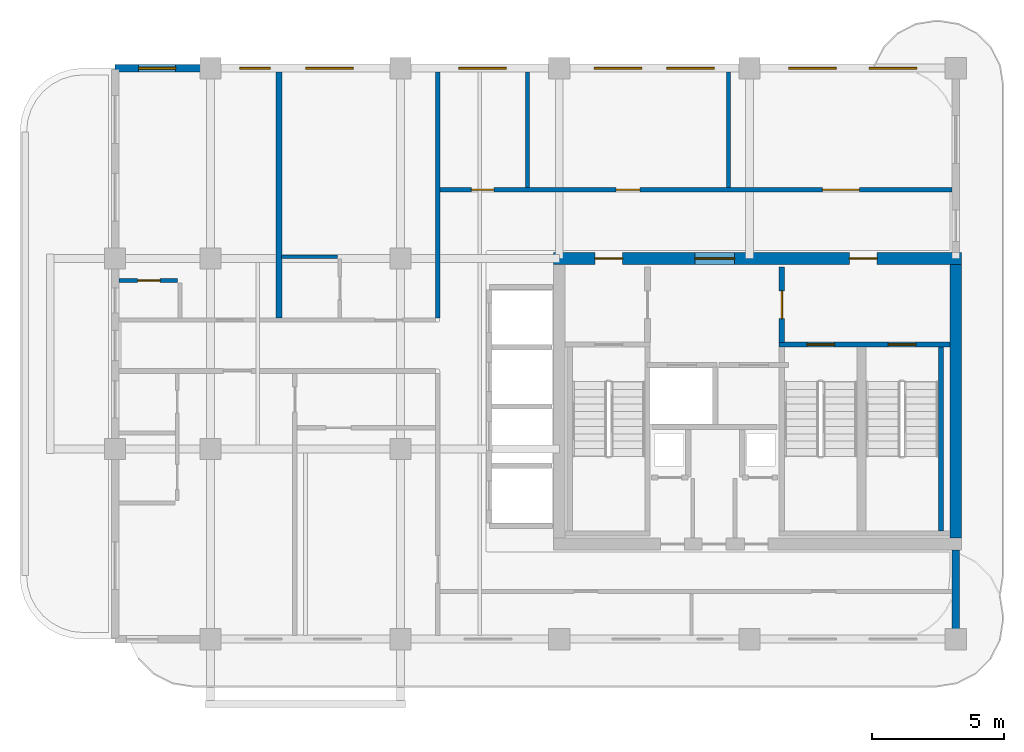
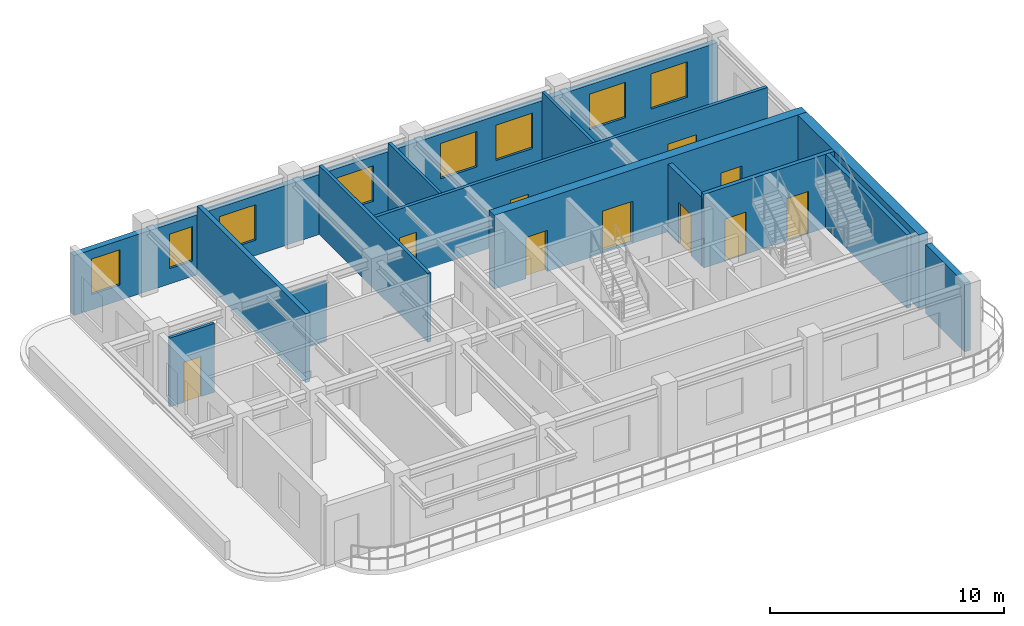
# One storey, part 4 of 7: 14 walls, 10 doors, 8 windows, 18 openings.
"""IFC4 building model written with IfcOpenShell, lengths in metres."""

from ifc_helpers import new_model, si_unit, derived_unit, direction, frame, frame_2d, origin, place, context, subcontext, project, spatial, rectangle, extrude, source, transform, mapped, material, layer, layer_set, type_object, type_shapes, element, fill, save


model = new_model("IFC4")

# Units and contexts
model_context = context("Model", 3, precision=1e-05, world=origin(), true_north=direction((0.0, 1.0)))
body_context = subcontext(model_context, "Body", "Model", "MODEL_VIEW")
ifc_project = project(units=[si_unit("LENGTHUNIT", "METRE"), si_unit("AREAUNIT", "SQUARE_METRE"), si_unit("VOLUMEUNIT", "CUBIC_METRE"), si_unit("PLANEANGLEUNIT", "RADIAN"), si_unit("MASSUNIT", "GRAM", prefix="KILO"), si_unit("THERMODYNAMICTEMPERATUREUNIT", "KELVIN"), si_unit("POWERUNIT", "WATT"), derived_unit("THERMALTRANSMITTANCEUNIT", [(si_unit("POWERUNIT", "WATT"), 1), (si_unit("AREAUNIT", "SQUARE_METRE"), -1), (si_unit("THERMODYNAMICTEMPERATUREUNIT", "KELVIN"), -1)])], contexts=[model_context])

# Site, building, storey
site_placement = place(None, origin())
site = spatial("IfcSite", under=ifc_project, at=site_placement, CompositionType="ELEMENT")
building_placement = place(site_placement, origin())
building = spatial("IfcBuilding", under=site, at=building_placement, Name="Zahravan Archway Hotel and Residences", CompositionType="ELEMENT")
storey_placement = place(building_placement, frame((0.0, 0.0, 251.949951171875)))
storey = spatial("IfcBuildingStorey", under=building, at=storey_placement, Name="L63", CompositionType="ELEMENT", Elevation=251.949951171875)

# Wall, openings, doors
ifc_material_1 = material(Name="Concrete C50/60", Category="concrete")
ifc_layer_1 = layer(ifc_material_1, 0.449951171875, Name="Concrete C50/60", Category="concrete")
ifc_layer_set_1 = layer_set([ifc_layer_1], Name="Concrete C50/60")
wall_type_1 = type_object("IfcWallType", Name="CW-CORE-450", PredefinedType="SHEAR", material=ifc_layer_set_1)
wall_1_placement = place(storey_placement, frame((34.574951171875, 14.39990234375, 0.0), z_axis=(0.0, 0.0, 1.0), x_axis=(1.0, 0.0, 0.0)))
wall_1 = element("IfcWall", 1, at=wall_1_placement, inside=storey, type_object=wall_type_1, Name="L63 Core A Shear N Wall 450 mm", PredefinedType="SHEAR", context=body_context, shape_type="SweptSolid", body=[
    extrude(rectangle(XDim=15.449951171875, YDim=0.449951171875, at=frame_2d((7.72509765625, 0.0))), origin(), (0.0, 0.0, 1.0), 3.85009765625),
])
opening_1_placement = place(wall_1_placement, frame((5.35498046875, 0.0, 0.0)))
opening_1 = element("IfcOpeningElement", 2, at=opening_1_placement, cuts=wall_1, Name="Opening FD-L1", PredefinedType="OPENING", context=body_context, shape_type="SweptSolid", body=[
    extrude(rectangle(XDim=1.5, YDim=2.199951171875, at=frame_2d((0.75, 1.10009765625))), frame((0.0, 0.23486328125, 0.0), z_axis=(0.0, -1.0, 0.0), x_axis=(1.0, 0.0, 0.0)), (0.0, 0.0, 1.0), 0.469970703125),
])
opening_2_placement = place(wall_1_placement, frame((1.570068359375, 0.0, 0.0)))
opening_2 = element("IfcOpeningElement", 3, at=opening_2_placement, cuts=wall_1, Name="Opening FD-L2", PredefinedType="OPENING", context=body_context, shape_type="SweptSolid", body=[
    extrude(rectangle(XDim=1.050048828125, YDim=2.14990234375, at=frame_2d((0.52490234375, 1.074951171875))), frame((0.0, 0.23486328125, 0.0), z_axis=(0.0, -1.0, 0.0), x_axis=(1.0, 0.0, 0.0)), (0.0, 0.0, 1.0), 0.469970703125),
])
opening_3_placement = place(wall_1_placement, frame((11.199951171875, 0.0, 0.0)))
opening_3 = element("IfcOpeningElement", 4, at=opening_3_placement, cuts=wall_1, Name="Opening FD-L2", PredefinedType="OPENING", context=body_context, shape_type="SweptSolid", body=[
    extrude(rectangle(XDim=1.050048828125, YDim=2.14990234375, at=frame_2d((0.52490234375, 1.074951171875))), frame((0.0, 0.23486328125, 0.0), z_axis=(0.0, -1.0, 0.0), x_axis=(1.0, 0.0, 0.0)), (0.0, 0.0, 1.0), 0.469970703125),
])
ifc_material_2 = material(Name="Fire-Rated Painted Steel", Category="steel")
door_type_1 = type_object("IfcDoorType", Name="FD-LOBBY-1100", OperationType="NOTDEFINED", PredefinedType="DOOR", material=ifc_material_2)
shared_shape_1 = source(origin(), body_context, "Body", "SweptSolid", [
    extrude(rectangle(XDim=1.050048828125, YDim=2.14990234375, at=frame_2d((0.52490234375, 1.074951171875))), frame((0.0, 0.02490234375, 0.0), z_axis=(0.0, -1.0, 0.0), x_axis=(1.0, 0.0, 0.0)), (0.0, 0.0, 1.0), 0.050048828125),
])
type_shapes(door_type_1, [shared_shape_1])
door_1_placement = place(opening_2_placement, origin())
door_1 = element("IfcDoor", 5, at=door_1_placement, inside=storey, type_object=door_type_1, Name="L63 Core A West Stair Lobby Door", OperationType="SINGLE_SWING_RIGHT", OverallHeight=2.14990234375, OverallWidth=1.050048828125, PredefinedType="DOOR", context=body_context, shape_type="MappedRepresentation", body=[
    mapped(shared_shape_1, transform((0.0, 0.0, 0.0), scale=1.0)),
])
fill(opening_2, door_1)
door_2_placement = place(opening_3_placement, origin())
door_2 = element("IfcDoor", 6, at=door_2_placement, inside=storey, type_object=door_type_1, Name="L63 Core A East Stair Lobby Door", OperationType="SINGLE_SWING_LEFT", OverallHeight=2.14990234375, OverallWidth=1.050048828125, PredefinedType="DOOR", context=body_context, shape_type="MappedRepresentation", body=[
    mapped(shared_shape_1, transform((0.0, 0.0, 0.0), scale=1.0)),
])
fill(opening_3, door_2)
door_type_2 = type_object("IfcDoorType", Name="FD-LOBBY-1500", OperationType="DOUBLE_DOOR_SINGLE_SWING", PredefinedType="DOOR", material=ifc_material_2)
shared_shape_2 = source(origin(), body_context, "Body", "SweptSolid", [
    extrude(rectangle(XDim=1.5, YDim=2.199951171875, at=frame_2d((0.75, 1.10009765625))), frame((0.0, 0.02490234375, 0.0), z_axis=(0.0, -1.0, 0.0), x_axis=(1.0, 0.0, 0.0)), (0.0, 0.0, 1.0), 0.050048828125),
])
type_shapes(door_type_2, [shared_shape_2])
door_3_placement = place(opening_1_placement, origin())
door_3 = element("IfcDoor", 7, at=door_3_placement, inside=storey, type_object=door_type_2, Name="L63 Core A FSAE Lobby Main Door", OperationType="DOUBLE_DOOR_SINGLE_SWING", OverallHeight=2.199951171875, OverallWidth=1.5, PredefinedType="DOOR", context=body_context, shape_type="MappedRepresentation", body=[
    mapped(shared_shape_2, transform((0.0, 0.0, 0.0), scale=1.0)),
])
fill(opening_1, door_3)

# Walls
wall_2_placement = place(storey_placement, frame((49.800048828125, 3.824951171875, 0.0), z_axis=(0.0, 0.0, 1.0), x_axis=(0.0, 1.0, 0.0)))
element("IfcWall", 8, at=wall_2_placement, inside=storey, type_object=wall_type_1, Name="L63 Core A Shear E Wall 450 mm", PredefinedType="SHEAR", context=body_context, shape_type="SweptSolid", body=[
    extrude(rectangle(XDim=10.35009765625, YDim=0.449951171875, at=frame_2d((5.175048828125, 0.0))), origin(), (0.0, 0.0, 1.0), 3.85009765625),
])
ifc_material_3 = material(Name="Honed Red-Ochre Sandstone & Insulated Block", Category="masonry")
ifc_layer_2 = layer(ifc_material_3, 0.280029296875, Name="Honed Red-Ochre Sandstone & Insulated Block", Category="masonry")
ifc_layer_set_2 = layer_set([ifc_layer_2], Name="Honed Red-Ochre Sandstone & Insulated Block")
wall_type_2 = type_object("IfcWallType", Name="EW-LOG-280", PredefinedType="SOLIDWALL", material=ifc_layer_set_2)
wall_3_placement = place(storey_placement, frame((49.800048828125, 0.050048828125, 0.0), z_axis=(0.0, 0.0, 1.0), x_axis=(0.0, 1.0, 0.0)))
element("IfcWall", 9, at=wall_3_placement, inside=storey, type_object=wall_type_2, Name="L63 Exterior Sandstone Wall WA-ES", PredefinedType="SOLIDWALL", context=body_context, shape_type="SweptSolid", body=[
    extrude(rectangle(XDim=3.329833984375, YDim=0.280029296875, at=frame_2d((1.6650390625, 0.0))), origin(), (0.0, 0.0, 1.0), 3.60009765625),
])

# Wall, openings, windows
wall_4_placement = place(storey_placement, frame((18.0, 21.60009765625, 0.0), z_axis=(0.0, 0.0, 1.0), x_axis=(1.0, 0.0, 0.0)))
wall_4 = element("IfcWall", 10, at=wall_4_placement, inside=storey, type_object=wall_type_2, Name="L63 Exterior Sandstone Wall WA-N", PredefinedType="SOLIDWALL", context=body_context, shape_type="SweptSolid", body=[
    extrude(rectangle(XDim=31.800048828125, YDim=0.280029296875, at=frame_2d((15.89990234375, 0.0))), origin(), (0.0, 0.0, 1.0), 3.135009765625),
])
opening_4_placement = place(wall_4_placement, frame((0.885009765625, 0.0, 0.800048828125)))
opening_4 = element("IfcOpeningElement", 11, at=opening_4_placement, cuts=wall_4, Name="Opening W-03", PredefinedType="OPENING", context=body_context, shape_type="SweptSolid", body=[
    extrude(rectangle(XDim=1.39990234375, YDim=1.85009765625, at=frame_2d((0.699951171875, 0.925048828125))), frame((0.0, 0.14990234375, 0.0), z_axis=(0.0, -1.0, 0.0), x_axis=(1.0, 0.0, 0.0)), (0.0, 0.0, 1.0), 0.300048828125),
])
opening_5_placement = place(wall_4_placement, frame((4.720947265625, 0.0, 0.800048828125)))
opening_5 = element("IfcOpeningElement", 12, at=opening_5_placement, cuts=wall_4, Name="Opening W-05", PredefinedType="OPENING", context=body_context, shape_type="SweptSolid", body=[
    extrude(rectangle(XDim=1.14990234375, YDim=1.800048828125, at=frame_2d((0.574951171875, 0.89990234375))), frame((0.0, 0.14990234375, 0.0), z_axis=(0.0, -1.0, 0.0), x_axis=(1.0, 0.0, 0.0)), (0.0, 0.0, 1.0), 0.300048828125),
])
opening_6_placement = place(wall_4_placement, frame((7.2041015625, 0.0, 0.800048828125)))
opening_6 = element("IfcOpeningElement", 13, at=opening_6_placement, cuts=wall_4, Name="Opening W-02", PredefinedType="OPENING", context=body_context, shape_type="SweptSolid", body=[
    extrude(rectangle(XDim=1.800048828125, YDim=1.85009765625, at=frame_2d((0.89990234375, 0.925048828125))), frame((0.0, 0.14990234375, 0.0), z_axis=(0.0, -1.0, 0.0), x_axis=(1.0, 0.0, 0.0)), (0.0, 0.0, 1.0), 0.300048828125),
])
opening_7_placement = place(wall_4_placement, frame((13.0009765625, 0.0, 0.800048828125)))
opening_7 = element("IfcOpeningElement", 14, at=opening_7_placement, cuts=wall_4, Name="Opening W-02", PredefinedType="OPENING", context=body_context, shape_type="SweptSolid", body=[
    extrude(rectangle(XDim=1.800048828125, YDim=1.85009765625, at=frame_2d((0.89990234375, 0.925048828125))), frame((0.0, 0.14990234375, 0.0), z_axis=(0.0, -1.0, 0.0), x_axis=(1.0, 0.0, 0.0)), (0.0, 0.0, 1.0), 0.300048828125),
])
opening_8_placement = place(wall_4_placement, frame((18.123046875, 0.0, 0.800048828125)))
opening_8 = element("IfcOpeningElement", 15, at=opening_8_placement, cuts=wall_4, Name="Opening W-02", PredefinedType="OPENING", context=body_context, shape_type="SweptSolid", body=[
    extrude(rectangle(XDim=1.800048828125, YDim=1.85009765625, at=frame_2d((0.89990234375, 0.925048828125))), frame((0.0, 0.14990234375, 0.0), z_axis=(0.0, -1.0, 0.0), x_axis=(1.0, 0.0, 0.0)), (0.0, 0.0, 1.0), 0.300048828125),
])
opening_9_placement = place(wall_4_placement, frame((20.868896484375, 0.0, 0.800048828125)))
opening_9 = element("IfcOpeningElement", 16, at=opening_9_placement, cuts=wall_4, Name="Opening W-02", PredefinedType="OPENING", context=body_context, shape_type="SweptSolid", body=[
    extrude(rectangle(XDim=1.800048828125, YDim=1.85009765625, at=frame_2d((0.89990234375, 0.925048828125))), frame((0.0, 0.14990234375, 0.0), z_axis=(0.0, -1.0, 0.0), x_axis=(1.0, 0.0, 0.0)), (0.0, 0.0, 1.0), 0.300048828125),
])
opening_10_placement = place(wall_4_placement, frame((25.47509765625, 0.0, 0.800048828125)))
opening_10 = element("IfcOpeningElement", 17, at=opening_10_placement, cuts=wall_4, Name="Opening W-02", PredefinedType="OPENING", context=body_context, shape_type="SweptSolid", body=[
    extrude(rectangle(XDim=1.800048828125, YDim=1.85009765625, at=frame_2d((0.89990234375, 0.925048828125))), frame((0.0, 0.14990234375, 0.0), z_axis=(0.0, -1.0, 0.0), x_axis=(1.0, 0.0, 0.0)), (0.0, 0.0, 1.0), 0.300048828125),
])
opening_11_placement = place(wall_4_placement, frame((28.52490234375, 0.0, 0.800048828125)))
opening_11 = element("IfcOpeningElement", 18, at=opening_11_placement, cuts=wall_4, Name="Opening W-02", PredefinedType="OPENING", context=body_context, shape_type="SweptSolid", body=[
    extrude(rectangle(XDim=1.800048828125, YDim=1.85009765625, at=frame_2d((0.89990234375, 0.925048828125))), frame((0.0, 0.14990234375, 0.0), z_axis=(0.0, -1.0, 0.0), x_axis=(1.0, 0.0, 0.0)), (0.0, 0.0, 1.0), 0.300048828125),
])
ifc_material_4 = material(Name="Bronze-Anodized Thermal-Break Aluminium & Low-E Glass", Category="aluminium")
window_type_1 = type_object("IfcWindowType", Name="WIN-TWR-1400", PartitioningType="SINGLE_PANEL", PredefinedType="WINDOW", material=ifc_material_4)
shared_shape_3 = source(origin(), body_context, "Body", "SweptSolid", [
    extrude(rectangle(XDim=1.39990234375, YDim=1.85009765625, at=frame_2d((0.699951171875, 0.925048828125))), frame((0.0, 0.030029296875, 0.0), z_axis=(0.0, -1.0, 0.0), x_axis=(1.0, 0.0, 0.0)), (0.0, 0.0, 1.0), 0.06005859375),
])
type_shapes(window_type_1, [shared_shape_3])
window_1_placement = place(opening_4_placement, origin())
window_1 = element("IfcWindow", 19, at=window_1_placement, inside=storey, type_object=window_type_1, Name="L63 Loggia Window 09", OverallHeight=1.85009765625, OverallWidth=1.39990234375, PartitioningType="SINGLE_PANEL", PredefinedType="WINDOW", context=body_context, shape_type="MappedRepresentation", body=[
    mapped(shared_shape_3, transform((0.0, 0.0, 0.0), scale=1.0)),
])
fill(opening_4, window_1)
window_type_2 = type_object("IfcWindowType", Name="WIN-TWR-1800", PartitioningType="DOUBLE_PANEL_VERTICAL", PredefinedType="WINDOW", material=ifc_material_4)
shared_shape_4 = source(origin(), body_context, "Body", "SweptSolid", [
    extrude(rectangle(XDim=1.800048828125, YDim=1.85009765625, at=frame_2d((0.89990234375, 0.925048828125))), frame((0.0, 0.030029296875, 0.0), z_axis=(0.0, -1.0, 0.0), x_axis=(1.0, 0.0, 0.0)), (0.0, 0.0, 1.0), 0.06005859375),
])
type_shapes(window_type_2, [shared_shape_4])
window_2_placement = place(opening_6_placement, origin())
window_2 = element("IfcWindow", 20, at=window_2_placement, inside=storey, type_object=window_type_2, Name="L63 Loggia Window 11", OverallHeight=1.85009765625, OverallWidth=1.800048828125, PartitioningType="DOUBLE_PANEL_VERTICAL", PredefinedType="WINDOW", context=body_context, shape_type="MappedRepresentation", body=[
    mapped(shared_shape_4, transform((0.0, 0.0, 0.0), scale=1.0)),
])
fill(opening_6, window_2)
window_3_placement = place(opening_7_placement, origin())
window_3 = element("IfcWindow", 21, at=window_3_placement, inside=storey, type_object=window_type_2, Name="L63 Loggia Window 12", OverallHeight=1.85009765625, OverallWidth=1.800048828125, PartitioningType="DOUBLE_PANEL_VERTICAL", PredefinedType="WINDOW", context=body_context, shape_type="MappedRepresentation", body=[
    mapped(shared_shape_4, transform((0.0, 0.0, 0.0), scale=1.0)),
])
fill(opening_7, window_3)
window_4_placement = place(opening_8_placement, origin())
window_4 = element("IfcWindow", 22, at=window_4_placement, inside=storey, type_object=window_type_2, Name="L63 Loggia Window 13", OverallHeight=1.85009765625, OverallWidth=1.800048828125, PartitioningType="DOUBLE_PANEL_VERTICAL", PredefinedType="WINDOW", context=body_context, shape_type="MappedRepresentation", body=[
    mapped(shared_shape_4, transform((0.0, 0.0, 0.0), scale=1.0)),
])
fill(opening_8, window_4)
window_5_placement = place(opening_9_placement, origin())
window_5 = element("IfcWindow", 23, at=window_5_placement, inside=storey, type_object=window_type_2, Name="L63 Loggia Window 14", OverallHeight=1.85009765625, OverallWidth=1.800048828125, PartitioningType="DOUBLE_PANEL_VERTICAL", PredefinedType="WINDOW", context=body_context, shape_type="MappedRepresentation", body=[
    mapped(shared_shape_4, transform((0.0, 0.0, 0.0), scale=1.0)),
])
fill(opening_9, window_5)
window_6_placement = place(opening_10_placement, origin())
window_6 = element("IfcWindow", 24, at=window_6_placement, inside=storey, type_object=window_type_2, Name="L63 Loggia Window 15", OverallHeight=1.85009765625, OverallWidth=1.800048828125, PartitioningType="DOUBLE_PANEL_VERTICAL", PredefinedType="WINDOW", context=body_context, shape_type="MappedRepresentation", body=[
    mapped(shared_shape_4, transform((0.0, 0.0, 0.0), scale=1.0)),
])
fill(opening_10, window_6)
window_7_placement = place(opening_11_placement, origin())
window_7 = element("IfcWindow", 25, at=window_7_placement, inside=storey, type_object=window_type_2, Name="L63 Loggia Window 16", OverallHeight=1.85009765625, OverallWidth=1.800048828125, PartitioningType="DOUBLE_PANEL_VERTICAL", PredefinedType="WINDOW", context=body_context, shape_type="MappedRepresentation", body=[
    mapped(shared_shape_4, transform((0.0, 0.0, 0.0), scale=1.0)),
])
fill(opening_11, window_7)
window_type_3 = type_object("IfcWindowType", Name="WIN-TWR-1150", PartitioningType="SINGLE_PANEL", PredefinedType="WINDOW", material=ifc_material_4)
shared_shape_5 = source(origin(), body_context, "Body", "SweptSolid", [
    extrude(rectangle(XDim=1.14990234375, YDim=1.800048828125, at=frame_2d((0.574951171875, 0.89990234375))), frame((0.0, 0.030029296875, 0.0), z_axis=(0.0, -1.0, 0.0), x_axis=(1.0, 0.0, 0.0)), (0.0, 0.0, 1.0), 0.06005859375),
])
type_shapes(window_type_3, [shared_shape_5])
window_8_placement = place(opening_5_placement, origin())
window_8 = element("IfcWindow", 26, at=window_8_placement, inside=storey, type_object=window_type_3, Name="L63 Loggia Window 10", OverallHeight=1.800048828125, OverallWidth=1.14990234375, PartitioningType="SINGLE_PANEL", PredefinedType="WINDOW", context=body_context, shape_type="MappedRepresentation", body=[
    mapped(shared_shape_5, transform((0.0, 0.0, 0.0), scale=1.0)),
])
fill(opening_5, window_8)

# Wall, opening, door
ifc_material_5 = material(Name="Fire-Rated Gypsum & Concrete Block", Category="concrete")
ifc_layer_3 = layer(ifc_material_5, 0.219970703125, Name="Fire-Rated Gypsum & Concrete Block", Category="concrete")
ifc_layer_set_3 = layer_set([ifc_layer_3], Name="Fire-Rated Gypsum & Concrete Block")
wall_type_3 = type_object("IfcWallType", Name="PW-COMP-220", PredefinedType="PARTITIONING", material=ifc_layer_set_3)
wall_5_placement = place(storey_placement, frame((43.219970703125, 11.219970703125, 0.0), z_axis=(0.0, 0.0, 1.0), x_axis=(0.0, 1.0, 0.0)))
wall_5 = element("IfcWall", 27, at=wall_5_placement, inside=storey, type_object=wall_type_3, Name="L63 Partition CA-LOBE", PredefinedType="PARTITIONING", context=body_context, shape_type="SweptSolid", body=[
    extrude(rectangle(XDim=2.860107421875, YDim=0.219970703125, at=frame_2d((1.43017578125, 0.0))), origin(), (0.0, 0.0, 1.0), 3.60009765625),
])
opening_12_placement = place(wall_5_placement, frame((0.905029296875, 0.0, 0.0)))
opening_12 = element("IfcOpeningElement", 28, at=opening_12_placement, cuts=wall_5, Name="Opening FD-L2", PredefinedType="OPENING", context=body_context, shape_type="SweptSolid", body=[
    extrude(rectangle(XDim=1.050048828125, YDim=2.14990234375, at=frame_2d((0.52490234375, 1.074951171875))), frame((0.0, 0.1201171875, 0.0), z_axis=(0.0, -1.0, 0.0), x_axis=(1.0, 0.0, 0.0)), (0.0, 0.0, 1.0), 0.239990234375),
])
door_4_placement = place(opening_12_placement, origin())
door_4 = element("IfcDoor", 29, at=door_4_placement, inside=storey, type_object=door_type_1, Name="L63 Core A East Stair to FSAE Lobby Door", OperationType="SINGLE_SWING_LEFT", OverallHeight=2.14990234375, OverallWidth=1.050048828125, PredefinedType="DOOR", context=body_context, shape_type="MappedRepresentation", body=[
    mapped(shared_shape_1, transform((0.0, 0.0, 0.0), scale=1.0)),
])
fill(opening_12, door_4)

# Walls
wall_6_placement = place(storey_placement, frame((24.199951171875, 12.159912109375, 0.0), z_axis=(0.0, 0.0, 1.0), x_axis=(0.0, 1.0, 0.0)))
element("IfcWall", 30, at=wall_6_placement, inside=storey, type_object=wall_type_3, Name="L63 Partition WAN-SBK1", PredefinedType="PARTITIONING", context=body_context, shape_type="SweptSolid", body=[
    extrude(rectangle(XDim=9.2919921875, YDim=0.219970703125, at=frame_2d((4.64599609375, 0.0))), origin(), (0.0, 0.0, 1.0), 3.60009765625),
])
ifc_layer_4 = layer(ifc_material_5, 0.159912109375, Name="Fire-Rated Gypsum & Concrete Block", Category="concrete")
ifc_layer_set_4 = layer_set([ifc_layer_4], Name="Fire-Rated Gypsum & Concrete Block")
wall_type_4 = type_object("IfcWallType", Name="PW-CORR-160", PredefinedType="PARTITIONING", material=ifc_layer_set_4)
wall_7_placement = place(storey_placement, frame((30.199951171875, 12.159912109375, 0.0), z_axis=(0.0, 0.0, 1.0), x_axis=(0.0, 1.0, 0.0)))
element("IfcWall", 31, at=wall_7_placement, inside=storey, type_object=wall_type_4, Name="L63 Partition WA-FW", PredefinedType="PARTITIONING", context=body_context, shape_type="SweptSolid", body=[
    extrude(rectangle(XDim=9.300048828125, YDim=0.159912109375, at=frame_2d((4.64990234375, 0.0))), origin(), (0.0, 0.0, 1.0), 3.60009765625),
])

# Wall, openings, doors
wall_8_placement = place(storey_placement, frame((30.2900390625, 17.0, 0.0), z_axis=(0.0, 0.0, 1.0), x_axis=(1.0, 0.0, 0.0)))
wall_8 = element("IfcWall", 32, at=wall_8_placement, inside=storey, type_object=wall_type_4, Name="L63 Partition WA-FN", PredefinedType="PARTITIONING", context=body_context, shape_type="SweptSolid", body=[
    extrude(rectangle(XDim=19.369873046875, YDim=0.159912109375, at=frame_2d((9.68505859375, 0.0))), origin(), (0.0, 0.0, 1.0), 3.60009765625),
])
opening_13_placement = place(wall_8_placement, frame((1.18505859375, 0.0, 0.0)))
opening_13 = element("IfcOpeningElement", 33, at=opening_13_placement, cuts=wall_8, Name="Opening D-B1", PredefinedType="OPENING", context=body_context, shape_type="SweptSolid", body=[
    extrude(rectangle(XDim=0.85009765625, YDim=2.10009765625, at=frame_2d((0.425048828125, 1.050048828125))), frame((0.0, 0.08984375, 0.0), z_axis=(0.0, -1.0, 0.0), x_axis=(1.0, 0.0, 0.0)), (0.0, 0.0, 1.0), 0.179931640625),
])
opening_14_placement = place(wall_8_placement, frame((6.659912109375, 0.0, 0.0)))
opening_14 = element("IfcOpeningElement", 34, at=opening_14_placement, cuts=wall_8, Name="Opening D-I2", PredefinedType="OPENING", context=body_context, shape_type="SweptSolid", body=[
    extrude(rectangle(XDim=0.89990234375, YDim=2.14990234375, at=frame_2d((0.449951171875, 1.074951171875))), frame((0.0, 0.08984375, 0.0), z_axis=(0.0, -1.0, 0.0), x_axis=(1.0, 0.0, 0.0)), (0.0, 0.0, 1.0), 0.179931640625),
])
opening_15_placement = place(wall_8_placement, frame((14.4599609375, 0.0, 0.0)))
opening_15 = element("IfcOpeningElement", 35, at=opening_15_placement, cuts=wall_8, Name="Opening D-P1", PredefinedType="OPENING", context=body_context, shape_type="SweptSolid", body=[
    extrude(rectangle(XDim=1.39990234375, YDim=2.35009765625, at=frame_2d((0.699951171875, 1.175048828125))), frame((0.0, 0.08984375, 0.0), z_axis=(0.0, -1.0, 0.0), x_axis=(1.0, 0.0, 0.0)), (0.0, 0.0, 1.0), 0.179931640625),
])
ifc_material_6 = material(Name="Hardwood Veneer Timber", Category="wood")
door_type_3 = type_object("IfcDoorType", Name="ID-BATH-850", OperationType="NOTDEFINED", PredefinedType="DOOR", material=ifc_material_6)
shared_shape_6 = source(origin(), body_context, "Body", "SweptSolid", [
    extrude(rectangle(XDim=0.85009765625, YDim=2.10009765625, at=frame_2d((0.425048828125, 1.050048828125))), frame((0.0, 0.02490234375, 0.0), z_axis=(0.0, -1.0, 0.0), x_axis=(1.0, 0.0, 0.0)), (0.0, 0.0, 1.0), 0.050048828125),
])
type_shapes(door_type_3, [shared_shape_6])
door_5_placement = place(opening_13_placement, origin())
door_5 = element("IfcDoor", 36, at=door_5_placement, inside=storey, type_object=door_type_3, Name="L63 Accessible Floor Restroom Door", OperationType="SINGLE_SWING_RIGHT", OverallHeight=2.10009765625, OverallWidth=0.85009765625, PredefinedType="DOOR", context=body_context, shape_type="MappedRepresentation", body=[
    mapped(shared_shape_6, transform((0.0, 0.0, 0.0), scale=1.0)),
])
fill(opening_13, door_5)
ifc_material_7 = material(Name="Bronze-Anodized Glazed Aluminium", Category="aluminium")
door_type_4 = type_object("IfcDoorType", Name="ID-PUBLIC-1400", OperationType="DOUBLE_DOOR_SINGLE_SWING", PredefinedType="DOOR", material=ifc_material_7)
shared_shape_7 = source(origin(), body_context, "Body", "SweptSolid", [
    extrude(rectangle(XDim=1.39990234375, YDim=2.35009765625, at=frame_2d((0.699951171875, 1.175048828125))), frame((0.0, 0.02490234375, 0.0), z_axis=(0.0, -1.0, 0.0), x_axis=(1.0, 0.0, 0.0)), (0.0, 0.0, 1.0), 0.050048828125),
])
type_shapes(door_type_4, [shared_shape_7])
door_6_placement = place(opening_15_placement, origin())
door_6 = element("IfcDoor", 37, at=door_6_placement, inside=storey, type_object=door_type_4, Name="L63 Co-Working Room Door", OperationType="DOUBLE_DOOR_SINGLE_SWING", OverallHeight=2.35009765625, OverallWidth=1.39990234375, PredefinedType="DOOR", context=body_context, shape_type="MappedRepresentation", body=[
    mapped(shared_shape_7, transform((0.0, 0.0, 0.0), scale=1.0)),
])
fill(opening_15, door_6)
door_type_5 = type_object("IfcDoorType", Name="ID-INT-900", OperationType="NOTDEFINED", PredefinedType="DOOR", material=ifc_material_6)
shared_shape_8 = source(origin(), body_context, "Body", "SweptSolid", [
    extrude(rectangle(XDim=0.89990234375, YDim=2.14990234375, at=frame_2d((0.449951171875, 1.074951171875))), frame((0.0, 0.02490234375, 0.0), z_axis=(0.0, -1.0, 0.0), x_axis=(1.0, 0.0, 0.0)), (0.0, 0.0, 1.0), 0.050048828125),
])
type_shapes(door_type_5, [shared_shape_8])
door_7_placement = place(opening_14_placement, origin())
door_7 = element("IfcDoor", 38, at=door_7_placement, inside=storey, type_object=door_type_5, Name="L63 Tea Servery Door", OperationType="SINGLE_SWING_LEFT", OverallHeight=2.14990234375, OverallWidth=0.89990234375, PredefinedType="DOOR", context=body_context, shape_type="MappedRepresentation", body=[
    mapped(shared_shape_8, transform((0.0, 0.0, 0.0), scale=1.0)),
])
fill(opening_14, door_7)

# Walls
ifc_material_8 = material(Name="Moisture-Resistant Blockwork", Category="masonry")
ifc_layer_5 = layer(ifc_material_8, 0.139892578125, Name="Moisture-Resistant Blockwork", Category="masonry")
ifc_layer_set_5 = layer_set([ifc_layer_5], Name="Moisture-Resistant Blockwork")
wall_type_5 = type_object("IfcWallType", Name="PW-WET-140", PredefinedType="PARTITIONING", material=ifc_layer_set_5)
for number, where, z_axis, x_axis, name in (
    (39, (33.60009765625, 17.090087890625, 0.0), (0.0, 0.0, 1.0), (0.0, 1.0, 0.0), "L63 Partition NE0-1"),
    (40, (41.199951171875, 17.090087890625, 0.0), (0.0, 0.0, 1.0), (0.0, 1.0, 0.0), "L63 Partition NE0-2"),
):
    element("IfcWall", number, at=place(storey_placement, frame(where, z_axis=z_axis, x_axis=x_axis)), inside=storey, type_object=wall_type_5, Name=name, PredefinedType="PARTITIONING", context=body_context, shape_type="SweptSolid", body=[
        extrude(rectangle(XDim=4.36181640625, YDim=0.139892578125, at=frame_2d((2.180908203125, 0.0))), origin(), (0.0, 0.0, 1.0), 3.60009765625),
    ])

# Wall, opening, door
wall_9_placement = place(storey_placement, frame((18.14794921875, 13.570068359375, 0.0), z_axis=(0.0, 0.0, 1.0), x_axis=(1.0, 0.0, 0.0)))
wall_9 = element("IfcWall", 41, at=wall_9_placement, inside=storey, type_object=wall_type_5, Name="L63 Partition HKB-H87", PredefinedType="PARTITIONING", context=body_context, shape_type="SweptSolid", body=[
    extrude(rectangle(XDim=2.212158203125, YDim=0.139892578125, at=frame_2d((1.10595703125, 0.0))), origin(), (0.0, 0.0, 1.0), 3.60009765625),
])
opening_16_placement = place(wall_9_placement, frame((0.701904296875, 0.0, 0.0)))
opening_16 = element("IfcOpeningElement", 42, at=opening_16_placement, cuts=wall_9, Name="Opening D-B1", PredefinedType="OPENING", context=body_context, shape_type="SweptSolid", body=[
    extrude(rectangle(XDim=0.85009765625, YDim=2.10009765625, at=frame_2d((0.425048828125, 1.050048828125))), frame((0.0, 0.080078125, 0.0), z_axis=(0.0, -1.0, 0.0), x_axis=(1.0, 0.0, 0.0)), (0.0, 0.0, 1.0), 0.159912109375),
])
door_8_placement = place(opening_16_placement, origin())
door_8 = element("IfcDoor", 43, at=door_8_placement, inside=storey, type_object=door_type_3, Name="L63 Guestroom 87 En-Suite Door", OperationType="SINGLE_SWING_RIGHT", OverallHeight=2.10009765625, OverallWidth=0.85009765625, PredefinedType="DOOR", context=body_context, shape_type="MappedRepresentation", body=[
    mapped(shared_shape_6, transform((0.0, 0.0, 0.0), scale=1.0)),
])
fill(opening_16, door_8)

# Walls
wall_10_placement = place(storey_placement, frame((24.2900390625, 14.469970703125, 0.0), z_axis=(0.0, 0.0, 1.0), x_axis=(1.0, 0.0, 0.0)))
element("IfcWall", 44, at=wall_10_placement, inside=storey, type_object=wall_type_5, Name="L63 Partition HKB-H88", PredefinedType="PARTITIONING", context=body_context, shape_type="SweptSolid", body=[
    extrude(rectangle(XDim=2.119873046875, YDim=0.139892578125, at=frame_2d((1.06005859375, 0.0))), origin(), (0.0, 0.0, 1.0), 3.135009765625),
])
ifc_layer_6 = layer(ifc_material_1, 0.199951171875, Name="Concrete C50/60", Category="concrete")
ifc_layer_set_6 = layer_set([ifc_layer_6], Name="Concrete C50/60")
wall_type_6 = type_object("IfcWallType", Name="SW-STAIR-200", PredefinedType="SHEAR", material=ifc_layer_set_6)
wall_11_placement = place(storey_placement, frame((49.239990234375, 4.10009765625, 0.0), z_axis=(0.0, 0.0, 1.0), x_axis=(0.0, 1.0, 0.0)))
element("IfcWall", 45, at=wall_11_placement, inside=storey, type_object=wall_type_6, Name="L63 Stairwell RC Wall CA-SA3E", PredefinedType="SHEAR", context=body_context, shape_type="SweptSolid", body=[
    extrude(rectangle(XDim=6.949951171875, YDim=0.199951171875, at=frame_2d((3.47509765625, 0.0))), origin(), (0.0, 0.0, 1.0), 3.85009765625),
])

# Wall, openings, doors
wall_12_placement = place(storey_placement, frame((43.1201171875, 11.14990234375, 0.0), z_axis=(0.0, 0.0, 1.0), x_axis=(1.0, 0.0, 0.0)))
wall_12 = element("IfcWall", 46, at=wall_12_placement, inside=storey, type_object=wall_type_6, Name="L63 Stairwell RC Wall CA-SA23N", PredefinedType="SHEAR", context=body_context, shape_type="SweptSolid", body=[
    extrude(rectangle(XDim=6.454833984375, YDim=0.199951171875, at=frame_2d((3.2275390625, 0.0))), origin(), (0.0, 0.0, 1.0), 3.85009765625),
])
opening_17_placement = place(wall_12_placement, frame((1.044921875, 0.0, 0.0)))
opening_17 = element("IfcOpeningElement", 47, at=opening_17_placement, cuts=wall_12, Name="Opening FD-S1", PredefinedType="OPENING", context=body_context, shape_type="SweptSolid", body=[
    extrude(rectangle(XDim=1.050048828125, YDim=2.199951171875, at=frame_2d((0.52490234375, 1.10009765625))), frame((0.0, 0.10986328125, 0.0), z_axis=(0.0, -1.0, 0.0), x_axis=(1.0, 0.0, 0.0)), (0.0, 0.0, 1.0), 0.219970703125),
])
opening_18_placement = place(wall_12_placement, frame((4.125, 0.0, 0.0)))
opening_18 = element("IfcOpeningElement", 48, at=opening_18_placement, cuts=wall_12, Name="Opening FD-S1", PredefinedType="OPENING", context=body_context, shape_type="SweptSolid", body=[
    extrude(rectangle(XDim=1.050048828125, YDim=2.199951171875, at=frame_2d((0.52490234375, 1.10009765625))), frame((0.0, 0.10986328125, 0.0), z_axis=(0.0, -1.0, 0.0), x_axis=(1.0, 0.0, 0.0)), (0.0, 0.0, 1.0), 0.219970703125),
])
door_type_6 = type_object("IfcDoorType", Name="FD-STAIR-1100", OperationType="NOTDEFINED", PredefinedType="DOOR", material=ifc_material_2)
shared_shape_9 = source(origin(), body_context, "Body", "SweptSolid", [
    extrude(rectangle(XDim=1.050048828125, YDim=2.199951171875, at=frame_2d((0.52490234375, 1.10009765625))), frame((0.0, 0.02490234375, 0.0), z_axis=(0.0, -1.0, 0.0), x_axis=(1.0, 0.0, 0.0)), (0.0, 0.0, 1.0), 0.050048828125),
])
type_shapes(door_type_6, [shared_shape_9])
door_9_placement = place(opening_17_placement, origin())
door_9 = element("IfcDoor", 49, at=door_9_placement, inside=storey, type_object=door_type_6, Name="L63 Stair ST-A2 Door", OperationType="SINGLE_SWING_RIGHT", OverallHeight=2.199951171875, OverallWidth=1.050048828125, PredefinedType="DOOR", context=body_context, shape_type="MappedRepresentation", body=[
    mapped(shared_shape_9, transform((0.0, 0.0, 0.0), scale=1.0)),
])
fill(opening_17, door_9)
door_10_placement = place(opening_18_placement, origin())
door_10 = element("IfcDoor", 50, at=door_10_placement, inside=storey, type_object=door_type_6, Name="L63 Stair ST-A3 Door", OperationType="SINGLE_SWING_LEFT", OverallHeight=2.199951171875, OverallWidth=1.050048828125, PredefinedType="DOOR", context=body_context, shape_type="MappedRepresentation", body=[
    mapped(shared_shape_9, transform((0.0, 0.0, 0.0), scale=1.0)),
])
fill(opening_18, door_10)

save(model, "model.ifc")
